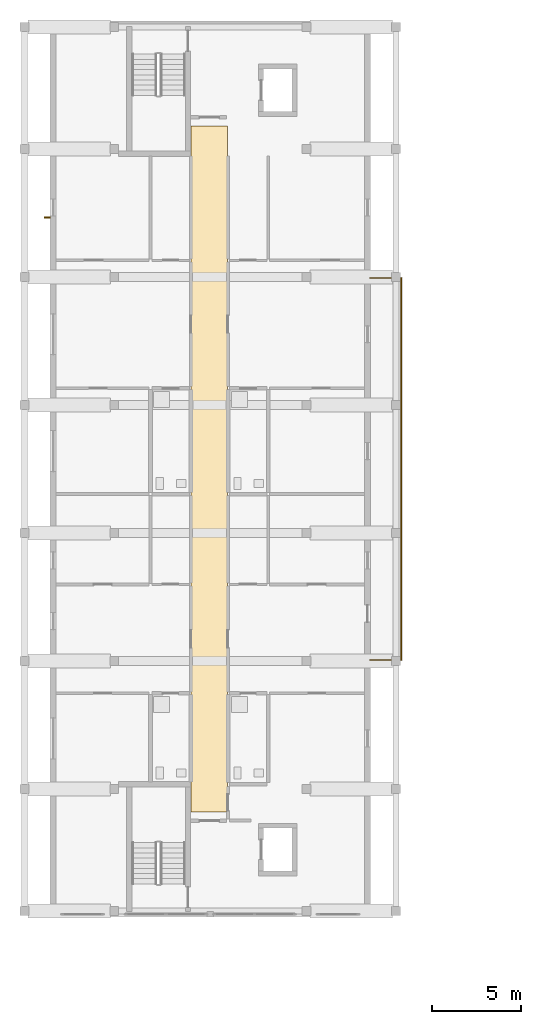
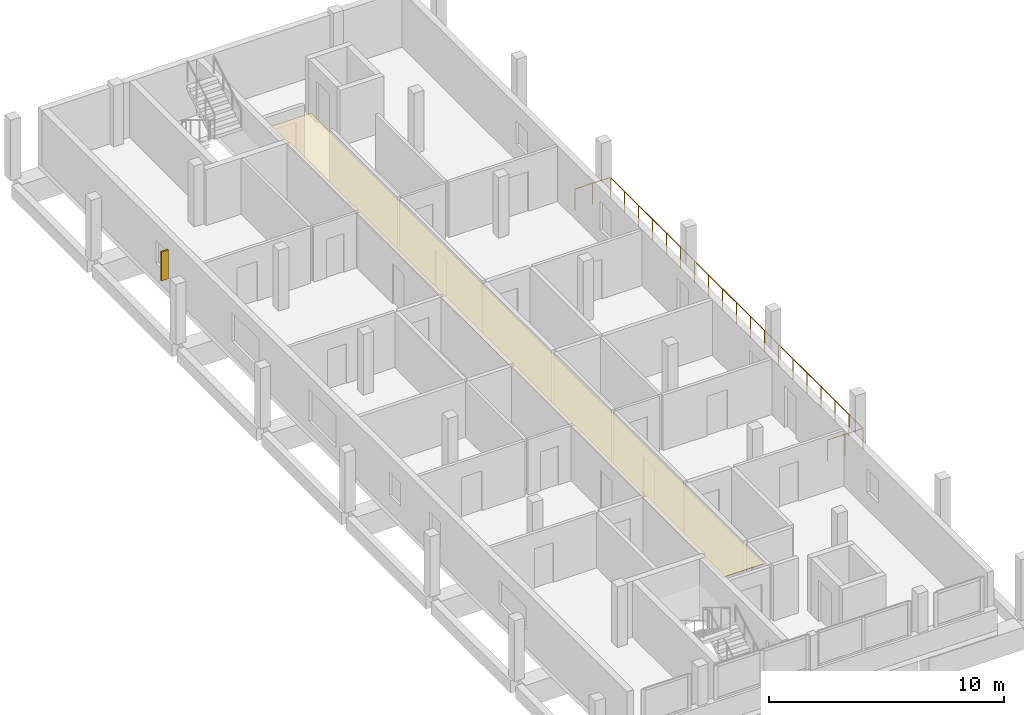
# One storey, part 23 of 29: 1 covering, 1 railing, 1 shading device.
"""IFC4 building model written with IfcOpenShell, lengths in metres."""

from ifc_helpers import new_model, si_unit, derived_unit, direction, frame, origin, origin_2d, place, context, subcontext, project, spatial, polyline, rectangle, circle, outline, extrude, material, layer, layer_set, type_object, element, save


model = new_model("IFC4")

# Units and contexts
model_context = context("Model", 3, precision=1e-05, world=origin(), true_north=direction((0.0, 1.0)))
body_context = subcontext(model_context, "Body", "Model", "MODEL_VIEW")
ifc_project = project(units=[si_unit("LENGTHUNIT", "METRE"), si_unit("AREAUNIT", "SQUARE_METRE"), si_unit("VOLUMEUNIT", "CUBIC_METRE"), si_unit("PLANEANGLEUNIT", "RADIAN"), si_unit("MASSUNIT", "GRAM", prefix="KILO"), derived_unit("THERMALTRANSMITTANCEUNIT", [(si_unit("MASSUNIT", "GRAM", prefix="KILO"), 1), (si_unit("TIMEUNIT", "SECOND"), -3), (si_unit("THERMODYNAMICTEMPERATUREUNIT", "KELVIN"), -1)])], contexts=[model_context])

# Site, building, storey
site_placement = place(None, origin())
site = spatial("IfcSite", under=ifc_project, at=site_placement, CompositionType="ELEMENT")
building_placement = place(site_placement, origin())
building = spatial("IfcBuilding", under=site, at=building_placement, Name="Ochrekiln Boulevard Commons", CompositionType="ELEMENT")
storey_placement = place(building_placement, frame((0.0, 0.0, 37.27490234375)))
storey = spatial("IfcBuildingStorey", under=building, at=storey_placement, Name="L11", CompositionType="ELEMENT", Elevation=37.27490234375)

# Covering
ifc_material_1 = material(Name="Mineral-fibre acoustic ceiling tile")
ifc_layer = layer(ifc_material_1, 0.02490234375)
ifc_layer_set = layer_set([ifc_layer], Name="Mineral-fibre acoustic ceiling tile")
covering_type = type_object("IfcCoveringType", Name="COV-CEIL-AC", PredefinedType="CEILING", material=ifc_layer_set)
covering_placement = place(storey_placement, frame((0.0, 0.0, 2.650146484375)))
element("IfcCovering", 1, at=covering_placement, inside=storey, type_object=covering_type, Name="L11 Acoustic Corridor Ceiling 69", PredefinedType="CEILING", context=body_context, shape_type="SweptSolid", body=[
    extrude(outline(polyline([(9.719970703125, 74.320068359375), (11.780029296875, 74.320068359375), (11.780029296875, 112.8798828125), (9.719970703125, 112.8798828125), (9.719970703125, 74.320068359375)])), origin(), (0.0, 0.0, 1.0), 0.02490234375),
])

# Railing
ifc_material_2 = material(Name="Bronze-anodized extruded aluminium 6063-T6", Category="aluminium")
railing_type = type_object("IfcRailingType", Name="RLG-BAL-1120", PredefinedType="BALUSTRADE", material=ifc_material_2)
railing_placement = place(storey_placement, frame((19.800048828125, 82.860107421875, 0.0)))
element("IfcRailing", 2, at=railing_placement, inside=storey, type_object=railing_type, Name="Block A L11 East Loggia Guard", PredefinedType="BALUSTRADE", context=body_context, shape_type="SweptSolid", body=[
    extrude(circle(Radius=0.02392578125, at=origin_2d()), frame((0.0, 0.0, 1.09619140625), z_axis=(1.0, 0.0, 0.0), x_axis=(0.0, 1.0, 0.0)), (0.0, 0.0, 1.0), 1.739990234375),
    extrude(circle(Radius=0.02392578125, at=origin_2d()), frame((1.739990234375, 0.0, 1.09619140625), z_axis=(0.0, 1.0, 0.0), x_axis=(-1.0, 0.0, 0.0)), (0.0, 0.0, 1.0), 21.47998046875),
    extrude(circle(Radius=0.02392578125, at=origin_2d()), frame((1.739990234375, 21.47998046875, 1.09619140625), z_axis=(-1.0, 0.0, 0.0), x_axis=(0.0, -1.0, 0.0)), (0.0, 0.0, 1.0), 1.739990234375),
    extrude(circle(Radius=0.02099609375, at=origin_2d()), origin(), (0.0, 0.0, 1.0), 1.072021484375),
    extrude(circle(Radius=0.02099609375, at=origin_2d()), frame((0.8701171875, 0.0, 0.0)), (0.0, 0.0, 1.0), 1.072021484375),
    extrude(circle(Radius=0.02099609375, at=origin_2d()), frame((1.739990234375, 0.0, 0.0)), (0.0, 0.0, 1.0), 1.072021484375),
    extrude(circle(Radius=0.02099609375, at=origin_2d()), frame((1.739990234375, 1.193359375, 0.0)), (0.0, 0.0, 1.0), 1.072021484375),
    extrude(circle(Radius=0.02099609375, at=origin_2d()), frame((1.739990234375, 2.38671875, 0.0)), (0.0, 0.0, 1.0), 1.072021484375),
    extrude(circle(Radius=0.02099609375, at=origin_2d()), frame((1.739990234375, 3.580078125, 0.0)), (0.0, 0.0, 1.0), 1.072021484375),
    extrude(circle(Radius=0.02099609375, at=origin_2d()), frame((1.739990234375, 4.7734375, 0.0)), (0.0, 0.0, 1.0), 1.072021484375),
    extrude(circle(Radius=0.02099609375, at=origin_2d()), frame((1.739990234375, 5.966552734375, 0.0)), (0.0, 0.0, 1.0), 1.072021484375),
    extrude(circle(Radius=0.02099609375, at=origin_2d()), frame((1.739990234375, 7.159912109375, 0.0)), (0.0, 0.0, 1.0), 1.072021484375),
    extrude(circle(Radius=0.02099609375, at=origin_2d()), frame((1.739990234375, 8.353271484375, 0.0)), (0.0, 0.0, 1.0), 1.072021484375),
    extrude(circle(Radius=0.02099609375, at=origin_2d()), frame((1.739990234375, 9.546630859375, 0.0)), (0.0, 0.0, 1.0), 1.072021484375),
    extrude(circle(Radius=0.02099609375, at=origin_2d()), frame((1.739990234375, 10.739990234375, 0.0)), (0.0, 0.0, 1.0), 1.072021484375),
    extrude(circle(Radius=0.02099609375, at=origin_2d()), frame((1.739990234375, 11.933349609375, 0.0)), (0.0, 0.0, 1.0), 1.072021484375),
    extrude(circle(Radius=0.02099609375, at=origin_2d()), frame((1.739990234375, 13.126708984375, 0.0)), (0.0, 0.0, 1.0), 1.072021484375),
    extrude(circle(Radius=0.02099609375, at=origin_2d()), frame((1.739990234375, 14.320068359375, 0.0)), (0.0, 0.0, 1.0), 1.072021484375),
    extrude(circle(Radius=0.02099609375, at=origin_2d()), frame((1.739990234375, 15.513427734375, 0.0)), (0.0, 0.0, 1.0), 1.072021484375),
    extrude(circle(Radius=0.02099609375, at=origin_2d()), frame((1.739990234375, 16.70654296875, 0.0)), (0.0, 0.0, 1.0), 1.072021484375),
    extrude(circle(Radius=0.02099609375, at=origin_2d()), frame((1.739990234375, 17.89990234375, 0.0)), (0.0, 0.0, 1.0), 1.072021484375),
    extrude(circle(Radius=0.02099609375, at=origin_2d()), frame((1.739990234375, 19.09326171875, 0.0)), (0.0, 0.0, 1.0), 1.072021484375),
    extrude(circle(Radius=0.02099609375, at=origin_2d()), frame((1.739990234375, 20.28662109375, 0.0)), (0.0, 0.0, 1.0), 1.072021484375),
    extrude(circle(Radius=0.02099609375, at=origin_2d()), frame((1.739990234375, 21.47998046875, 0.0)), (0.0, 0.0, 1.0), 1.072021484375),
    extrude(circle(Radius=0.02099609375, at=origin_2d()), frame((0.8701171875, 21.47998046875, 0.0)), (0.0, 0.0, 1.0), 1.072021484375),
    extrude(circle(Radius=0.02099609375, at=origin_2d()), frame((0.0, 21.47998046875, 0.0)), (0.0, 0.0, 1.0), 1.072021484375),
])

# Shading device
ifc_material_3 = material(Name="Glazed architectural terracotta ASTM C1405", Category="masonry")
shading_device_type = type_object("IfcShadingDeviceType", Name="SHD-FIN-TERRA", PredefinedType="JALOUSIE", material=ifc_material_3)
shading_device_placement = place(storey_placement, frame((1.6298828125, 107.7529296875, 0.7001953125), z_axis=(0.0, 0.0, 1.0), x_axis=(1.0, 0.0, 0.0)))
element("IfcShadingDevice", 3, at=shading_device_placement, inside=storey, type_object=shading_device_type, Name="Terracotta Solar Shading Fin SF-01 (20)", PredefinedType="JALOUSIE", context=body_context, shape_type="SweptSolid", body=[
    extrude(rectangle(XDim=0.35009765625, YDim=0.080078125, at=origin_2d()), origin(), (0.0, 0.0, 1.0), 1.5),
])

save(model, "model.ifc")
